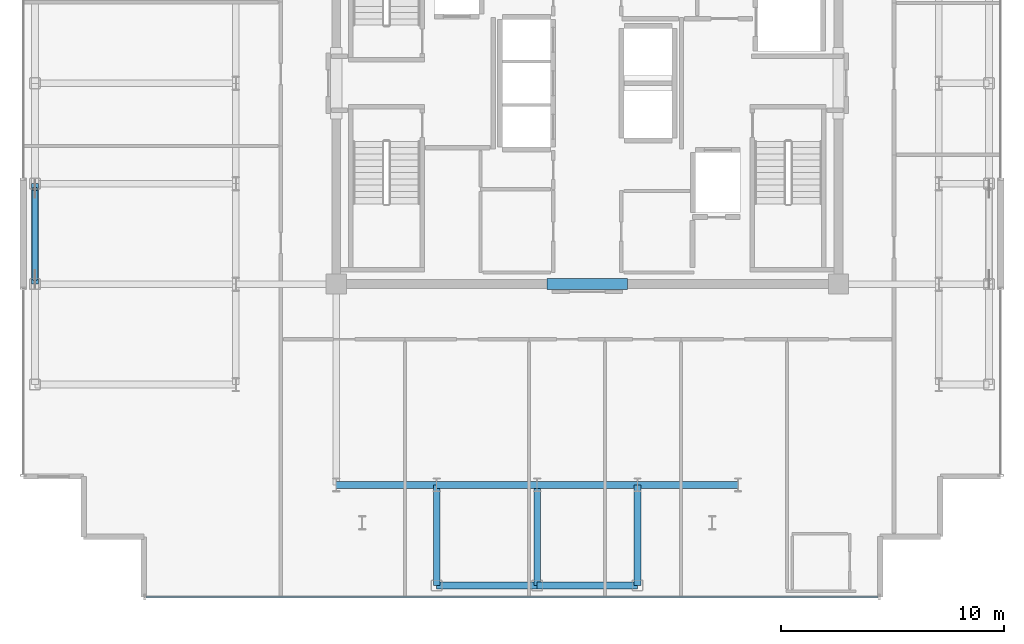
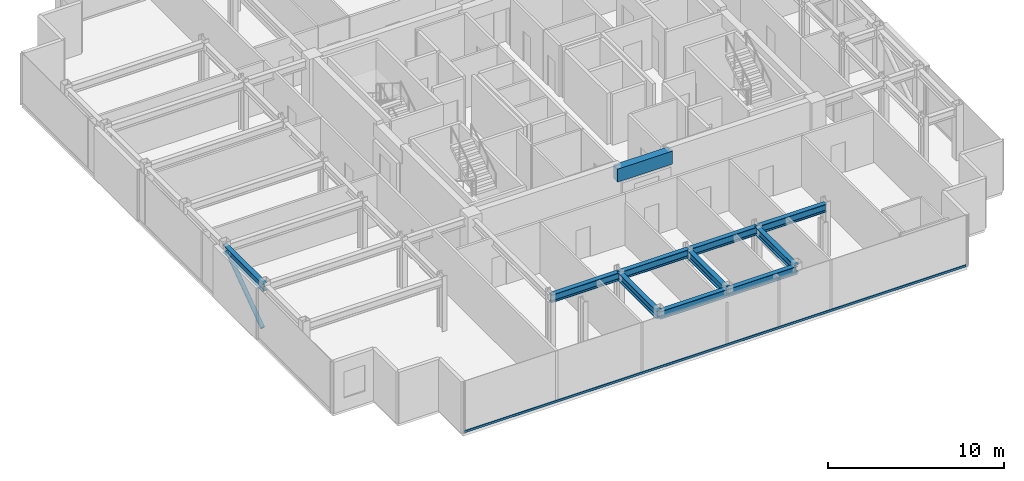
# One storey, part 3 of 16: 11 beams, 2 members, 1 element without a shape of its own.
"""IFC4 building model written with IfcOpenShell, lengths in metres."""

from ifc_helpers import new_model, si_unit, direction, frame, origin, origin_2d, place, context, subcontext, project, spatial, rectangle, hollow_rectangle, hollow_circle, i_section, extrude, source, transform, mapped, material, layer, layer_set, material_profile, profile_set, type_object, element, aggregate, save


model = new_model("IFC4")

# Units and contexts
model_context = context("Model", 3, precision=1e-05, world=origin(), true_north=direction((0.0, 1.0)))
body_context = subcontext(model_context, "Body", "Model", "MODEL_VIEW")
ifc_project = project(units=[si_unit("LENGTHUNIT", "METRE"), si_unit("AREAUNIT", "SQUARE_METRE"), si_unit("VOLUMEUNIT", "CUBIC_METRE"), si_unit("PLANEANGLEUNIT", "RADIAN"), si_unit("MASSUNIT", "GRAM", prefix="KILO")], contexts=[model_context])

# Site, building, storey
site_placement = place(None, origin())
site = spatial("IfcSite", under=ifc_project, at=site_placement, CompositionType="ELEMENT")
building_placement = place(site_placement, origin())
building = spatial("IfcBuilding", under=site, at=building_placement, Name="Nefas-Gora Pilgrimage Tower", CompositionType="ELEMENT")
storey_placement = place(building_placement, frame((0.0, 0.0, 333.800048828125)))
storey = spatial("IfcBuildingStorey", under=building, at=storey_placement, Name="L84", CompositionType="ELEMENT", Elevation=333.800048828125)

# Beam
ifc_material_1 = material(Name="Concrete C50/60", Category="concrete")
ifc_material_profile_1 = material_profile(ifc_material_1, rectangle(XDim=0.5, YDim=0.89990234375, at=origin_2d()), Name="RC 500x900")
ifc_profile_set_1 = profile_set([ifc_material_profile_1], Name="Concrete C50/60")
beam_type_1 = type_object("IfcBeamType", Name="BM-LIN-RC900", PredefinedType="LINTEL", material=ifc_profile_set_1)
shared_shape_1 = source(origin(), body_context, "Body", "SweptSolid", [
    extrude(rectangle(XDim=0.5, YDim=0.89990234375, at=origin_2d()), origin(), (0.0, 0.0, 1.0), 3.60009765625),
])
beam_placement = place(storey_placement, frame((-1.800048828125, -9.0, 3.099853515625), z_axis=(1.0, 0.0, 0.0), x_axis=(0.0, 1.0, 0.0)))
element("IfcBeam", 1, at=beam_placement, inside=storey, type_object=beam_type_1, Name="L84 Core Coupling Lintel Beam S", PredefinedType="LINTEL", context=body_context, shape_type="MappedRepresentation", body=[
    mapped(shared_shape_1, transform((0.0, 0.0, 0.0), x_axis=(1.0, 0.0, 0.0), y_axis=(0.0, 1.0, 0.0), z_axis=(0.0, 0.0, 1.0), scale=1.0)),
])

# Member
ifc_material_2 = material(Name="Steel S355", Category="steel")
ifc_material_profile_2 = material_profile(ifc_material_2, hollow_circle(Radius=0.136474609375, WallThickness=0.01611328125, at=origin_2d()), Name="CHS 273x16")
ifc_profile_set_2 = profile_set([ifc_material_profile_2], Name="Steel S355")
member_type_1 = type_object("IfcMemberType", Name="MEM-TUBE-273", PredefinedType="BRACE", material=ifc_profile_set_2)
shared_shape_2 = source(origin(), body_context, "Body", "SweptSolid", [
    extrude(hollow_circle(Radius=0.136474609375, WallThickness=0.01611328125, at=origin_2d()), origin(), (0.0, 0.0, 1.0), 4.947998046875),
])
member_1_placement = place(storey_placement, frame((-24.75, -8.761962890625, 0.3203125), z_axis=(0.0, 0.813239767156, 0.581928759485), x_axis=(-1.0, 0.0, 0.0)))
element("IfcMember", 2, at=member_1_placement, inside=storey, type_object=member_type_1, Name="L84 Perimeter Tube Diagonal Brace W1", PredefinedType="BRACE", context=body_context, shape_type="MappedRepresentation", body=[
    mapped(shared_shape_2, transform((0.0, 0.0, 0.0), x_axis=(1.0, 0.0, 0.0), y_axis=(0.0, 1.0, 0.0), z_axis=(0.0, 0.0, 1.0), scale=1.0)),
])

# Beams
ifc_material_profile_3 = material_profile(ifc_material_2, i_section(OverallWidth=0.300048828125, OverallDepth=0.550048828125, WebThickness=0.014892578125, FlangeThickness=0.029052734375, FilletRadius=0.027099609375, at=origin_2d()), Name="HEB 550")
ifc_profile_set_3 = profile_set([ifc_material_profile_3], Name="Steel S355")
beam_type_2 = type_object("IfcBeamType", Name="BM-SPN-HEB400", PredefinedType="SPANDREL", material=ifc_profile_set_3)
shared_shape_3 = source(origin(), body_context, "Body", "SweptSolid", [
    extrude(i_section(OverallWidth=0.300048828125, OverallDepth=0.550048828125, WebThickness=0.014892578125, FlangeThickness=0.029052734375, FilletRadius=0.027099609375, at=origin_2d()), origin(), (0.0, 0.0, 1.0), 4.5),
])
for number, where, z_axis, x_axis, name in (
    (3, (-24.75, -9.0, 3.27490234375), (0.0, 1.0, 0.0), (-1.0, 0.0, 0.0), "L84 SP-04 beam"),
    (4, (-6.75, -22.5, 3.27490234375), (1.0, 0.0, 0.0), (0.0, 1.0, 0.0), "L84 SP-04 beam"),
    (5, (-2.25, -22.5, 3.27490234375), (1.0, 0.0, 0.0), (0.0, 1.0, 0.0), "L84 SP-04 beam"),
):
    element("IfcBeam", number, at=place(storey_placement, frame(where, z_axis=z_axis, x_axis=x_axis)), inside=storey, type_object=beam_type_2, Name=name, PredefinedType="SPANDREL", context=body_context, shape_type="MappedRepresentation", body=[
        mapped(shared_shape_3, transform((0.0, 0.0, 0.0), x_axis=(1.0, 0.0, 0.0), y_axis=(0.0, 1.0, 0.0), z_axis=(0.0, 0.0, 1.0), scale=1.0)),
    ])
ifc_material_profile_4 = material_profile(ifc_material_2, i_section(OverallWidth=0.300048828125, OverallDepth=0.550048828125, WebThickness=0.014892578125, FlangeThickness=0.029052734375, FilletRadius=0.027099609375, at=origin_2d()), Name="HEB 550")
ifc_profile_set_4 = profile_set([ifc_material_profile_4], Name="Steel S355")
beam_type_3 = type_object("IfcBeamType", Name="BM-GIR-HEB550", PredefinedType="BEAM", material=ifc_profile_set_4)
shared_shape_4 = source(origin(), body_context, "Body", "SweptSolid", [
    extrude(i_section(OverallWidth=0.300048828125, OverallDepth=0.550048828125, WebThickness=0.014892578125, FlangeThickness=0.029052734375, FilletRadius=0.027099609375, at=origin_2d()), origin(), (0.0, 0.0, 1.0), 4.5),
])
for number, where, z_axis, x_axis, name in (
    (6, (-11.25, -18.0, 3.27490234375), (1.0, 0.0, 0.0), (0.0, 1.0, 0.0), "L84 G-05 beam"),
    (7, (-6.75, -22.5, 3.27490234375), (0.0, 1.0, 0.0), (-1.0, 0.0, 0.0), "L84 G-05 beam"),
    (8, (-6.75, -18.0, 3.27490234375), (1.0, 0.0, 0.0), (0.0, 1.0, 0.0), "L84 G-05 beam"),
    (9, (-2.25, -22.5, 3.27490234375), (0.0, 1.0, 0.0), (-1.0, 0.0, 0.0), "L84 G-05 beam"),
    (10, (-2.25, -18.0, 3.27490234375), (1.0, 0.0, 0.0), (0.0, 1.0, 0.0), "L84 G-05 beam"),
    (11, (2.25, -22.5, 3.27490234375), (0.0, 1.0, 0.0), (-1.0, 0.0, 0.0), "L84 G-05 beam"),
    (12, (2.25, -18.0, 3.27490234375), (1.0, 0.0, 0.0), (0.0, 1.0, 0.0), "L84 G-05 beam"),
):
    element("IfcBeam", number, at=place(storey_placement, frame(where, z_axis=z_axis, x_axis=x_axis)), inside=storey, type_object=beam_type_3, Name=name, PredefinedType="BEAM", context=body_context, shape_type="MappedRepresentation", body=[
        mapped(shared_shape_4, transform((0.0, 0.0, 0.0), x_axis=(1.0, 0.0, 0.0), y_axis=(0.0, 1.0, 0.0), z_axis=(0.0, 0.0, 1.0), scale=1.0)),
    ])

# Curtain wall, member
ifc_material_3 = material(Name="Dark ceramic-fritted solar-control aluminium-glass curtain wall", Category="aluminium")
ifc_layer = layer(ifc_material_3, 0.219970703125)
ifc_layer_set = layer_set([ifc_layer], Name="Dark ceramic-fritted solar-control aluminium-glass curtain wall")
curtain_wall_type = type_object("IfcCurtainWallType", Name="CW-SYS-4", PredefinedType="NOTDEFINED", material=ifc_layer_set)
curtain_wall_placement = place(storey_placement, origin())
curtain_wall = element("IfcCurtainWall", 13, at=curtain_wall_placement, inside=storey, type_object=curtain_wall_type, Name="L84 Unitised Curtain Wall CW4", PredefinedType="NOTDEFINED")
ifc_material_4 = material(Name="Anodised architectural aluminium", Category="aluminium")
ifc_material_profile_5 = material_profile(ifc_material_4, hollow_rectangle(XDim=0.080078125, YDim=0.159912109375, WallThickness=0.00439453125, InnerFilletRadius=0.00439453125, OuterFilletRadius=0.009033203125, at=origin_2d()), Name="ALU TRANSOM 80x160")
ifc_profile_set_5 = profile_set([ifc_material_profile_5], Name="Anodised architectural aluminium")
member_type_2 = type_object("IfcMemberType", Name="CWM-TRN-4", PredefinedType="USERDEFINED", material=ifc_profile_set_5)
shared_shape_5 = source(origin(), body_context, "Body", "SweptSolid", [
    extrude(hollow_rectangle(XDim=0.080078125, YDim=0.159912109375, WallThickness=0.00439453125, InnerFilletRadius=0.00439453125, OuterFilletRadius=0.009033203125, at=origin_2d()), origin(), (0.0, 0.0, 1.0), 32.81005859375),
])
member_2_placement = place(storey_placement, frame((-19.780029296875, -23.02001953125, 0.050048828125), z_axis=(1.0, 0.0, 0.0), x_axis=(0.0, 1.0, 0.0)))
member_2 = element("IfcMember", 14, at=member_2_placement, type_object=member_type_2, Name="CW4 Spandrel Transom", ObjectType="TRANSOM", PredefinedType="USERDEFINED", context=body_context, shape_type="MappedRepresentation", body=[
    mapped(shared_shape_5, transform((0.0, 0.0, 0.0), x_axis=(1.0, 0.0, 0.0), y_axis=(0.0, 1.0, 0.0), z_axis=(0.0, 0.0, 1.0), scale=1.0)),
])
aggregate(curtain_wall, [member_2])

save(model, "model.ifc")
